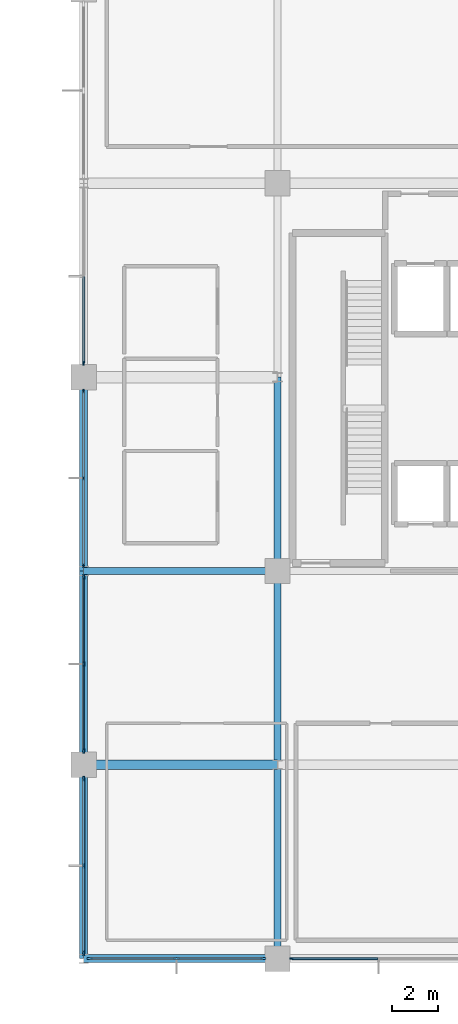
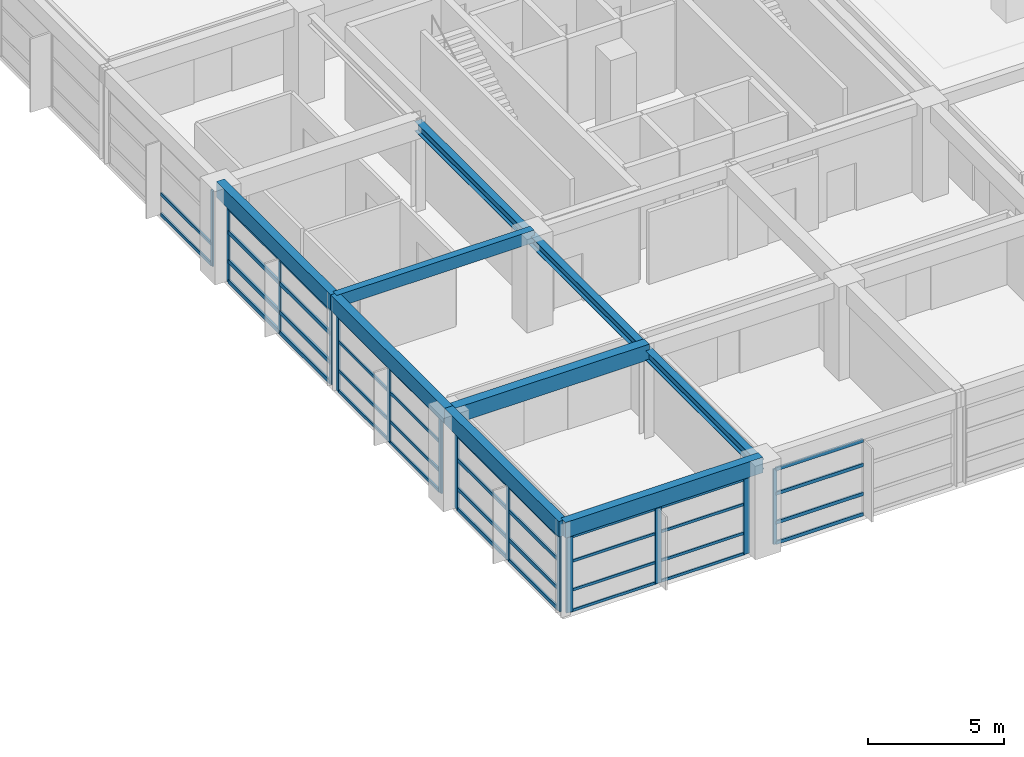
# One storey, part 5 of 18: 52 members, 9 beams, 6 elements without a shape of their own.
"""IFC4 building model written with IfcOpenShell, lengths in metres."""

from ifc_helpers import new_model, si_unit, direction, frame, origin, origin_2d, place, context, subcontext, project, spatial, rectangle, i_section, extrude, material, material_profile, profile_set, type_object, element, aggregate, save


model = new_model("IFC4")

# Units and contexts
model_context = context("Model", 3, precision=1e-05, world=origin(), true_north=direction((0.0, 1.0)))
body_context = subcontext(model_context, "Body", "Model", "MODEL_VIEW")
ifc_project = project(units=[si_unit("LENGTHUNIT", "METRE"), si_unit("AREAUNIT", "SQUARE_METRE"), si_unit("VOLUMEUNIT", "CUBIC_METRE"), si_unit("PLANEANGLEUNIT", "RADIAN"), si_unit("MASSUNIT", "GRAM", prefix="KILO")], contexts=[model_context])

# Site, building, storey
site_placement = place(None, origin())
site = spatial("IfcSite", under=ifc_project, at=site_placement, CompositionType="ELEMENT")
building_placement = place(site_placement, origin())
building = spatial("IfcBuilding", under=site, at=building_placement, Name="Xuanlan Plaza Opera House", CompositionType="ELEMENT")
storey_placement = place(building_placement, frame((0.0, 0.0, 32.10009765625)))
storey = spatial("IfcBuildingStorey", under=building, at=storey_placement, Name="L07", CompositionType="ELEMENT", Elevation=32.10009765625)

# Curtain wall, member
ifc_material_1 = material(Name="Anodised Aluminium 6063-T6 and Low-E Glass", Category="aluminium")
curtain_wall_type_1 = type_object("IfcCurtainWallType", Name="ENV-CW-CW-03", PredefinedType="USERDEFINED", material=ifc_material_1)
curtain_wall_1_placement = place(storey_placement, origin())
curtain_wall_1 = element("IfcCurtainWall", 1, at=curtain_wall_1_placement, inside=storey, type_object=curtain_wall_type_1, Name="Unitised Curtain Wall L07-002", ObjectType="UNITISED CURTAIN WALL", PredefinedType="USERDEFINED")
ifc_material_2 = material(Name="Anodised Aluminium 6063-T6", Category="aluminium")
ifc_material_profile_1 = material_profile(ifc_material_2, rectangle(XDim=0.06494140625, YDim=0.159912109375, at=origin_2d()), Name="ALU-M 65x160")
ifc_profile_set_1 = profile_set([ifc_material_profile_1], Name="Anodised Aluminium 6063-T6")
member_type_1 = type_object("IfcMemberType", Name="ENV-CWM-01", PredefinedType="MULLION", material=ifc_profile_set_1)
member_1_placement = place(storey_placement, frame((135.00244140625, 33.60009765625, 0.0), z_axis=(0.0, 0.0, 1.0), x_axis=(0.0, 1.0, 0.0)))
member_1 = element("IfcMember", 2, at=member_1_placement, type_object=member_type_1, Name="CW-03 mullion 1", PredefinedType="MULLION", context=body_context, shape_type="SweptSolid", body=[
    extrude(rectangle(XDim=0.06494140625, YDim=0.159912109375, at=origin_2d()), origin(), (0.0, 0.0, 1.0), 3.3798828125),
])

curtain_wall_type_2 = type_object("IfcCurtainWallType", Name="ENV-CW-CW-02", PredefinedType="USERDEFINED", material=ifc_material_1)
curtain_wall_2_placement = place(storey_placement, origin())
curtain_wall_2 = element("IfcCurtainWall", 3, at=curtain_wall_2_placement, inside=storey, type_object=curtain_wall_type_2, Name="Unitised Curtain Wall L07-017", ObjectType="UNITISED CURTAIN WALL", PredefinedType="USERDEFINED")
member_2_placement = place(storey_placement, frame((126.0, 59.402587890625, 0.0), z_axis=(0.0, 0.0, 1.0), x_axis=(1.0, 0.0, 0.0)))
member_2 = element("IfcMember", 4, at=member_2_placement, type_object=member_type_1, Name="CW-02 mullion 3", PredefinedType="MULLION", context=body_context, shape_type="SweptSolid", body=[
    extrude(rectangle(XDim=0.06494140625, YDim=0.159912109375, at=origin_2d()), origin(), (0.0, 0.0, 1.0), 3.3798828125),
])

# Curtain wall, members
curtain_wall_3_placement = place(storey_placement, origin())
curtain_wall_3 = element("IfcCurtainWall", 5, at=curtain_wall_3_placement, inside=storey, type_object=curtain_wall_type_1, Name="Unitised Curtain Wall L07-018", ObjectType="UNITISED CURTAIN WALL", PredefinedType="USERDEFINED")
ifc_material_profile_2 = material_profile(ifc_material_2, rectangle(XDim=0.070068359375, YDim=0.179931640625, at=origin_2d()), Name="ALU-M 70x180")
ifc_profile_set_2 = profile_set([ifc_material_profile_2], Name="Anodised Aluminium 6063-T6")
member_type_2 = type_object("IfcMemberType", Name="ENV-CWM-02", PredefinedType="MULLION", material=ifc_profile_set_2)
member_3_placement = place(storey_placement, frame((126.0, 58.195068359375, 0.0), z_axis=(0.0, 0.0, 1.0), x_axis=(1.0, 0.0, 0.0)))
member_3 = element("IfcMember", 6, at=member_3_placement, type_object=member_type_2, Name="CW-03 mullion 1", PredefinedType="MULLION", context=body_context, shape_type="SweptSolid", body=[
    extrude(rectangle(XDim=0.070068359375, YDim=0.179931640625, at=origin_2d()), origin(), (0.0, 0.0, 1.0), 3.3798828125),
])
member_4_placement = place(storey_placement, frame((126.0, 54.425048828125, 0.0), z_axis=(0.0, 0.0, 1.0), x_axis=(1.0, 0.0, 0.0)))
member_4 = element("IfcMember", 7, at=member_4_placement, type_object=member_type_2, Name="CW-03 mullion 2", PredefinedType="MULLION", context=body_context, shape_type="SweptSolid", body=[
    extrude(rectangle(XDim=0.070068359375, YDim=0.179931640625, at=origin_2d()), origin(), (0.0, 0.0, 1.0), 3.3798828125),
])
member_5_placement = place(storey_placement, frame((126.0, 50.655029296875, 0.0), z_axis=(0.0, 0.0, 1.0), x_axis=(1.0, 0.0, 0.0)))
member_5 = element("IfcMember", 8, at=member_5_placement, type_object=member_type_2, Name="CW-03 mullion 3", PredefinedType="MULLION", context=body_context, shape_type="SweptSolid", body=[
    extrude(rectangle(XDim=0.070068359375, YDim=0.179931640625, at=origin_2d()), origin(), (0.0, 0.0, 1.0), 3.3798828125),
])

curtain_wall_type_3 = type_object("IfcCurtainWallType", Name="ENV-CW-CW-04", PredefinedType="USERDEFINED", material=ifc_material_1)
curtain_wall_4_placement = place(storey_placement, origin())
curtain_wall_4 = element("IfcCurtainWall", 9, at=curtain_wall_4_placement, inside=storey, type_object=curtain_wall_type_3, Name="Unitised Curtain Wall L07-019", ObjectType="UNITISED CURTAIN WALL", PredefinedType="USERDEFINED")
ifc_material_profile_3 = material_profile(ifc_material_2, rectangle(XDim=0.074951171875, YDim=0.199951171875, at=origin_2d()), Name="ALU-M 75x200")
ifc_profile_set_3 = profile_set([ifc_material_profile_3], Name="Anodised Aluminium 6063-T6")
member_type_3 = type_object("IfcMemberType", Name="ENV-CWM-03", PredefinedType="MULLION", material=ifc_profile_set_3)
member_6_placement = place(storey_placement, frame((126.0, 50.142578125, 0.0), z_axis=(0.0, 0.0, 1.0), x_axis=(1.0, 0.0, 0.0)))
member_6 = element("IfcMember", 10, at=member_6_placement, type_object=member_type_3, Name="CW-04 mullion 1", PredefinedType="MULLION", context=body_context, shape_type="SweptSolid", body=[
    extrude(rectangle(XDim=0.074951171875, YDim=0.199951171875, at=origin_2d()), origin(), (0.0, 0.0, 1.0), 3.3798828125),
])
member_7_placement = place(storey_placement, frame((126.0, 46.375, 0.0), z_axis=(0.0, 0.0, 1.0), x_axis=(1.0, 0.0, 0.0)))
member_7 = element("IfcMember", 11, at=member_7_placement, type_object=member_type_3, Name="CW-04 mullion 2", PredefinedType="MULLION", context=body_context, shape_type="SweptSolid", body=[
    extrude(rectangle(XDim=0.074951171875, YDim=0.199951171875, at=origin_2d()), origin(), (0.0, 0.0, 1.0), 3.3798828125),
])
member_8_placement = place(storey_placement, frame((126.0, 42.607421875, 0.0), z_axis=(0.0, 0.0, 1.0), x_axis=(1.0, 0.0, 0.0)))
member_8 = element("IfcMember", 12, at=member_8_placement, type_object=member_type_3, Name="CW-04 mullion 3", PredefinedType="MULLION", context=body_context, shape_type="SweptSolid", body=[
    extrude(rectangle(XDim=0.074951171875, YDim=0.199951171875, at=origin_2d()), origin(), (0.0, 0.0, 1.0), 3.3798828125),
])

curtain_wall_type_4 = type_object("IfcCurtainWallType", Name="ENV-CW-CW-01", PredefinedType="USERDEFINED", material=ifc_material_1)
curtain_wall_5_placement = place(storey_placement, origin())
curtain_wall_5 = element("IfcCurtainWall", 13, at=curtain_wall_5_placement, inside=storey, type_object=curtain_wall_type_4, Name="Unitised Curtain Wall L07-020", ObjectType="UNITISED CURTAIN WALL", PredefinedType="USERDEFINED")
ifc_material_profile_4 = material_profile(ifc_material_2, rectangle(XDim=0.080078125, YDim=0.219970703125, at=origin_2d()), Name="ALU-M 80x220")
ifc_profile_set_4 = profile_set([ifc_material_profile_4], Name="Anodised Aluminium 6063-T6")
member_type_4 = type_object("IfcMemberType", Name="ENV-CWM-04", PredefinedType="MULLION", material=ifc_profile_set_4)
member_9_placement = place(storey_placement, frame((126.0, 41.389892578125, 0.0), z_axis=(0.0, 0.0, 1.0), x_axis=(1.0, 0.0, 0.0)))
member_9 = element("IfcMember", 14, at=member_9_placement, type_object=member_type_4, Name="CW-01 mullion 1", PredefinedType="MULLION", context=body_context, shape_type="SweptSolid", body=[
    extrude(rectangle(XDim=0.080078125, YDim=0.219970703125, at=origin_2d()), origin(), (0.0, 0.0, 1.0), 3.3798828125),
])
member_10_placement = place(storey_placement, frame((126.0, 37.625, 0.0), z_axis=(0.0, 0.0, 1.0), x_axis=(1.0, 0.0, 0.0)))
member_10 = element("IfcMember", 15, at=member_10_placement, type_object=member_type_4, Name="CW-01 mullion 2", PredefinedType="MULLION", context=body_context, shape_type="SweptSolid", body=[
    extrude(rectangle(XDim=0.080078125, YDim=0.219970703125, at=origin_2d()), origin(), (0.0, 0.0, 1.0), 3.3798828125),
])
member_11_placement = place(storey_placement, frame((126.0, 33.860107421875, 0.0), z_axis=(0.0, 0.0, 1.0), x_axis=(1.0, 0.0, 0.0)))
member_11 = element("IfcMember", 16, at=member_11_placement, type_object=member_type_4, Name="CW-01 mullion 3", PredefinedType="MULLION", context=body_context, shape_type="SweptSolid", body=[
    extrude(rectangle(XDim=0.080078125, YDim=0.219970703125, at=origin_2d()), origin(), (0.0, 0.0, 1.0), 3.3798828125),
])

curtain_wall_6_placement = place(storey_placement, origin())
curtain_wall_6 = element("IfcCurtainWall", 17, at=curtain_wall_6_placement, inside=storey, type_object=curtain_wall_type_2, Name="Unitised Curtain Wall L07-001", ObjectType="UNITISED CURTAIN WALL", PredefinedType="USERDEFINED")
ifc_material_profile_5 = material_profile(ifc_material_2, rectangle(XDim=0.090087890625, YDim=0.25, at=origin_2d()), Name="ALU-M 90x250")
ifc_profile_set_5 = profile_set([ifc_material_profile_5], Name="Anodised Aluminium 6063-T6")
member_type_5 = type_object("IfcMemberType", Name="ENV-CWM-05", PredefinedType="MULLION", material=ifc_profile_set_5)
member_12_placement = place(storey_placement, frame((126.264892578125, 33.60009765625, 0.0), z_axis=(0.0, 0.0, 1.0), x_axis=(0.0, 1.0, 0.0)))
member_12 = element("IfcMember", 18, at=member_12_placement, type_object=member_type_5, Name="CW-02 mullion 1", PredefinedType="MULLION", context=body_context, shape_type="SweptSolid", body=[
    extrude(rectangle(XDim=0.090087890625, YDim=0.25, at=origin_2d()), origin(), (0.0, 0.0, 1.0), 3.3798828125),
])
member_13_placement = place(storey_placement, frame((130.02490234375, 33.60009765625, 0.0), z_axis=(0.0, 0.0, 1.0), x_axis=(0.0, 1.0, 0.0)))
member_13 = element("IfcMember", 19, at=member_13_placement, type_object=member_type_5, Name="CW-02 mullion 2", PredefinedType="MULLION", context=body_context, shape_type="SweptSolid", body=[
    extrude(rectangle(XDim=0.090087890625, YDim=0.25, at=origin_2d()), origin(), (0.0, 0.0, 1.0), 3.3798828125),
])
member_14_placement = place(storey_placement, frame((133.784912109375, 33.60009765625, 0.0), z_axis=(0.0, 0.0, 1.0), x_axis=(0.0, 1.0, 0.0)))
member_14 = element("IfcMember", 20, at=member_14_placement, type_object=member_type_5, Name="CW-02 mullion 3", PredefinedType="MULLION", context=body_context, shape_type="SweptSolid", body=[
    extrude(rectangle(XDim=0.090087890625, YDim=0.25, at=origin_2d()), origin(), (0.0, 0.0, 1.0), 3.3798828125),
])
ifc_material_profile_6 = material_profile(ifc_material_2, rectangle(XDim=0.06494140625, YDim=0.1201171875, at=origin_2d()), Name="ALU-T 65x120")
ifc_profile_set_6 = profile_set([ifc_material_profile_6], Name="Anodised Aluminium 6063-T6")
member_type_6 = type_object("IfcMemberType", Name="ENV-CWT-01", PredefinedType="USERDEFINED", material=ifc_profile_set_6)
member_15_placement = place(storey_placement, frame((126.31005859375, 33.60009765625, 0.032470703125), z_axis=(1.0, 0.0, 0.0), x_axis=(0.0, 1.0, 0.0)))
member_15 = element("IfcMember", 21, at=member_15_placement, type_object=member_type_6, Name="CW-02 transom 1.1", ObjectType="TRANSOM", PredefinedType="USERDEFINED", context=body_context, shape_type="SweptSolid", body=[
    extrude(rectangle(XDim=0.06494140625, YDim=0.1201171875, at=origin_2d()), origin(), (0.0, 0.0, 1.0), 3.669921875),
])
member_16_placement = place(storey_placement, frame((126.31005859375, 33.60009765625, 0.949951171875), z_axis=(1.0, 0.0, 0.0), x_axis=(0.0, 1.0, 0.0)))
member_16 = element("IfcMember", 22, at=member_16_placement, type_object=member_type_6, Name="CW-02 transom 1.2", ObjectType="TRANSOM", PredefinedType="USERDEFINED", context=body_context, shape_type="SweptSolid", body=[
    extrude(rectangle(XDim=0.06494140625, YDim=0.1201171875, at=origin_2d()), origin(), (0.0, 0.0, 1.0), 3.669921875),
])
member_17_placement = place(storey_placement, frame((126.31005859375, 33.60009765625, 2.25), z_axis=(1.0, 0.0, 0.0), x_axis=(0.0, 1.0, 0.0)))
member_17 = element("IfcMember", 23, at=member_17_placement, type_object=member_type_6, Name="CW-02 transom 1.3", ObjectType="TRANSOM", PredefinedType="USERDEFINED", context=body_context, shape_type="SweptSolid", body=[
    extrude(rectangle(XDim=0.06494140625, YDim=0.1201171875, at=origin_2d()), origin(), (0.0, 0.0, 1.0), 3.669921875),
])
member_18_placement = place(storey_placement, frame((126.31005859375, 33.60009765625, 3.347412109375), z_axis=(1.0, 0.0, 0.0), x_axis=(0.0, 1.0, 0.0)))
member_18 = element("IfcMember", 24, at=member_18_placement, type_object=member_type_6, Name="CW-02 transom 1.4", ObjectType="TRANSOM", PredefinedType="USERDEFINED", context=body_context, shape_type="SweptSolid", body=[
    extrude(rectangle(XDim=0.06494140625, YDim=0.1201171875, at=origin_2d()), origin(), (0.0, 0.0, 1.0), 3.669921875),
])
member_19_placement = place(storey_placement, frame((130.070068359375, 33.60009765625, 0.032470703125), z_axis=(1.0, 0.0, 0.0), x_axis=(0.0, 1.0, 0.0)))
member_19 = element("IfcMember", 25, at=member_19_placement, type_object=member_type_6, Name="CW-02 transom 2.1", ObjectType="TRANSOM", PredefinedType="USERDEFINED", context=body_context, shape_type="SweptSolid", body=[
    extrude(rectangle(XDim=0.06494140625, YDim=0.1201171875, at=origin_2d()), origin(), (0.0, 0.0, 1.0), 3.669921875),
])
member_20_placement = place(storey_placement, frame((130.070068359375, 33.60009765625, 0.949951171875), z_axis=(1.0, 0.0, 0.0), x_axis=(0.0, 1.0, 0.0)))
member_20 = element("IfcMember", 26, at=member_20_placement, type_object=member_type_6, Name="CW-02 transom 2.2", ObjectType="TRANSOM", PredefinedType="USERDEFINED", context=body_context, shape_type="SweptSolid", body=[
    extrude(rectangle(XDim=0.06494140625, YDim=0.1201171875, at=origin_2d()), origin(), (0.0, 0.0, 1.0), 3.669921875),
])
member_21_placement = place(storey_placement, frame((130.070068359375, 33.60009765625, 2.25), z_axis=(1.0, 0.0, 0.0), x_axis=(0.0, 1.0, 0.0)))
member_21 = element("IfcMember", 27, at=member_21_placement, type_object=member_type_6, Name="CW-02 transom 2.3", ObjectType="TRANSOM", PredefinedType="USERDEFINED", context=body_context, shape_type="SweptSolid", body=[
    extrude(rectangle(XDim=0.06494140625, YDim=0.1201171875, at=origin_2d()), origin(), (0.0, 0.0, 1.0), 3.669921875),
])
member_22_placement = place(storey_placement, frame((130.070068359375, 33.60009765625, 3.347412109375), z_axis=(1.0, 0.0, 0.0), x_axis=(0.0, 1.0, 0.0)))
member_22 = element("IfcMember", 28, at=member_22_placement, type_object=member_type_6, Name="CW-02 transom 2.4", ObjectType="TRANSOM", PredefinedType="USERDEFINED", context=body_context, shape_type="SweptSolid", body=[
    extrude(rectangle(XDim=0.06494140625, YDim=0.1201171875, at=origin_2d()), origin(), (0.0, 0.0, 1.0), 3.669921875),
])
aggregate(curtain_wall_6, [member_12, member_13, member_14, member_15, member_16, member_17, member_18, member_19, member_20, member_21, member_22])

# Member
ifc_material_profile_7 = material_profile(ifc_material_2, rectangle(XDim=0.070068359375, YDim=0.135009765625, at=origin_2d()), Name="ALU-T 70x135")
ifc_profile_set_7 = profile_set([ifc_material_profile_7], Name="Anodised Aluminium 6063-T6")
member_type_7 = type_object("IfcMemberType", Name="ENV-CWT-02", PredefinedType="USERDEFINED", material=ifc_profile_set_7)
member_23_placement = place(storey_placement, frame((126.0, 50.10498046875, 0.034912109375), z_axis=(0.0, -1.0, 0.0), x_axis=(1.0, 0.0, 0.0)))
member_23 = element("IfcMember", 29, at=member_23_placement, type_object=member_type_7, Name="CW-04 transom 1.1", ObjectType="TRANSOM", PredefinedType="USERDEFINED", context=body_context, shape_type="SweptSolid", body=[
    extrude(rectangle(XDim=0.070068359375, YDim=0.135009765625, at=origin_2d()), origin(), (0.0, 0.0, 1.0), 3.6923828125),
])

member_24_placement = place(storey_placement, frame((126.0, 50.10498046875, 0.949951171875), z_axis=(0.0, -1.0, 0.0), x_axis=(1.0, 0.0, 0.0)))
member_24 = element("IfcMember", 30, at=member_24_placement, type_object=member_type_7, Name="CW-04 transom 1.2", ObjectType="TRANSOM", PredefinedType="USERDEFINED", context=body_context, shape_type="SweptSolid", body=[
    extrude(rectangle(XDim=0.070068359375, YDim=0.135009765625, at=origin_2d()), origin(), (0.0, 0.0, 1.0), 3.6923828125),
])

member_25_placement = place(storey_placement, frame((126.0, 50.10498046875, 2.25), z_axis=(0.0, -1.0, 0.0), x_axis=(1.0, 0.0, 0.0)))
member_25 = element("IfcMember", 31, at=member_25_placement, type_object=member_type_7, Name="CW-04 transom 1.3", ObjectType="TRANSOM", PredefinedType="USERDEFINED", context=body_context, shape_type="SweptSolid", body=[
    extrude(rectangle(XDim=0.070068359375, YDim=0.135009765625, at=origin_2d()), origin(), (0.0, 0.0, 1.0), 3.6923828125),
])

member_26_placement = place(storey_placement, frame((126.0, 50.10498046875, 3.344970703125), z_axis=(0.0, -1.0, 0.0), x_axis=(1.0, 0.0, 0.0)))
member_26 = element("IfcMember", 32, at=member_26_placement, type_object=member_type_7, Name="CW-04 transom 1.4", ObjectType="TRANSOM", PredefinedType="USERDEFINED", context=body_context, shape_type="SweptSolid", body=[
    extrude(rectangle(XDim=0.070068359375, YDim=0.135009765625, at=origin_2d()), origin(), (0.0, 0.0, 1.0), 3.6923828125),
])

member_27_placement = place(storey_placement, frame((126.0, 46.33740234375, 0.034912109375), z_axis=(0.0, -1.0, 0.0), x_axis=(1.0, 0.0, 0.0)))
member_27 = element("IfcMember", 33, at=member_27_placement, type_object=member_type_7, Name="CW-04 transom 2.1", ObjectType="TRANSOM", PredefinedType="USERDEFINED", context=body_context, shape_type="SweptSolid", body=[
    extrude(rectangle(XDim=0.070068359375, YDim=0.135009765625, at=origin_2d()), origin(), (0.0, 0.0, 1.0), 3.6923828125),
])

member_28_placement = place(storey_placement, frame((126.0, 46.33740234375, 0.949951171875), z_axis=(0.0, -1.0, 0.0), x_axis=(1.0, 0.0, 0.0)))
member_28 = element("IfcMember", 34, at=member_28_placement, type_object=member_type_7, Name="CW-04 transom 2.2", ObjectType="TRANSOM", PredefinedType="USERDEFINED", context=body_context, shape_type="SweptSolid", body=[
    extrude(rectangle(XDim=0.070068359375, YDim=0.135009765625, at=origin_2d()), origin(), (0.0, 0.0, 1.0), 3.6923828125),
])

member_29_placement = place(storey_placement, frame((126.0, 46.33740234375, 2.25), z_axis=(0.0, -1.0, 0.0), x_axis=(1.0, 0.0, 0.0)))
member_29 = element("IfcMember", 35, at=member_29_placement, type_object=member_type_7, Name="CW-04 transom 2.3", ObjectType="TRANSOM", PredefinedType="USERDEFINED", context=body_context, shape_type="SweptSolid", body=[
    extrude(rectangle(XDim=0.070068359375, YDim=0.135009765625, at=origin_2d()), origin(), (0.0, 0.0, 1.0), 3.6923828125),
])

member_30_placement = place(storey_placement, frame((126.0, 46.33740234375, 3.344970703125), z_axis=(0.0, -1.0, 0.0), x_axis=(1.0, 0.0, 0.0)))
member_30 = element("IfcMember", 36, at=member_30_placement, type_object=member_type_7, Name="CW-04 transom 2.4", ObjectType="TRANSOM", PredefinedType="USERDEFINED", context=body_context, shape_type="SweptSolid", body=[
    extrude(rectangle(XDim=0.070068359375, YDim=0.135009765625, at=origin_2d()), origin(), (0.0, 0.0, 1.0), 3.6923828125),
])

aggregate(curtain_wall_4, [member_6, member_7, member_8, member_23, member_24, member_25, member_26, member_27, member_28, member_29, member_30])

ifc_material_profile_8 = material_profile(ifc_material_2, rectangle(XDim=0.074951171875, YDim=0.14990234375, at=origin_2d()), Name="ALU-T 75x150")
ifc_profile_set_8 = profile_set([ifc_material_profile_8], Name="Anodised Aluminium 6063-T6")
member_type_8 = type_object("IfcMemberType", Name="ENV-CWT-03", PredefinedType="USERDEFINED", material=ifc_profile_set_8)
member_31_placement = place(storey_placement, frame((135.034912109375, 33.60009765625, 0.037353515625), z_axis=(1.0, 0.0, 0.0), x_axis=(0.0, 1.0, 0.0)))
member_31 = element("IfcMember", 37, at=member_31_placement, type_object=member_type_8, Name="CW-03 transom 1.1", ObjectType="TRANSOM", PredefinedType="USERDEFINED", context=body_context, shape_type="SweptSolid", body=[
    extrude(rectangle(XDim=0.074951171875, YDim=0.14990234375, at=origin_2d()), origin(), (0.0, 0.0, 1.0), 3.70751953125),
])

member_32_placement = place(storey_placement, frame((135.034912109375, 33.60009765625, 0.949951171875), z_axis=(1.0, 0.0, 0.0), x_axis=(0.0, 1.0, 0.0)))
member_32 = element("IfcMember", 38, at=member_32_placement, type_object=member_type_8, Name="CW-03 transom 1.2", ObjectType="TRANSOM", PredefinedType="USERDEFINED", context=body_context, shape_type="SweptSolid", body=[
    extrude(rectangle(XDim=0.074951171875, YDim=0.14990234375, at=origin_2d()), origin(), (0.0, 0.0, 1.0), 3.70751953125),
])

member_33_placement = place(storey_placement, frame((135.034912109375, 33.60009765625, 2.25), z_axis=(1.0, 0.0, 0.0), x_axis=(0.0, 1.0, 0.0)))
member_33 = element("IfcMember", 39, at=member_33_placement, type_object=member_type_8, Name="CW-03 transom 1.3", ObjectType="TRANSOM", PredefinedType="USERDEFINED", context=body_context, shape_type="SweptSolid", body=[
    extrude(rectangle(XDim=0.074951171875, YDim=0.14990234375, at=origin_2d()), origin(), (0.0, 0.0, 1.0), 3.70751953125),
])

member_34_placement = place(storey_placement, frame((135.034912109375, 33.60009765625, 3.34228515625), z_axis=(1.0, 0.0, 0.0), x_axis=(0.0, 1.0, 0.0)))
member_34 = element("IfcMember", 40, at=member_34_placement, type_object=member_type_8, Name="CW-03 transom 1.4", ObjectType="TRANSOM", PredefinedType="USERDEFINED", context=body_context, shape_type="SweptSolid", body=[
    extrude(rectangle(XDim=0.074951171875, YDim=0.14990234375, at=origin_2d()), origin(), (0.0, 0.0, 1.0), 3.70751953125),
])

aggregate(curtain_wall_1, [member_1, member_31, member_32, member_33, member_34])

member_35_placement = place(storey_placement, frame((126.0, 63.142578125, 0.037353515625), z_axis=(0.0, -1.0, 0.0), x_axis=(1.0, 0.0, 0.0)))
member_35 = element("IfcMember", 41, at=member_35_placement, type_object=member_type_8, Name="CW-02 transom 2.1", ObjectType="TRANSOM", PredefinedType="USERDEFINED", context=body_context, shape_type="SweptSolid", body=[
    extrude(rectangle(XDim=0.074951171875, YDim=0.14990234375, at=origin_2d()), origin(), (0.0, 0.0, 1.0), 3.70751953125),
])

member_36_placement = place(storey_placement, frame((126.0, 63.142578125, 0.949951171875), z_axis=(0.0, -1.0, 0.0), x_axis=(1.0, 0.0, 0.0)))
member_36 = element("IfcMember", 42, at=member_36_placement, type_object=member_type_8, Name="CW-02 transom 2.2", ObjectType="TRANSOM", PredefinedType="USERDEFINED", context=body_context, shape_type="SweptSolid", body=[
    extrude(rectangle(XDim=0.074951171875, YDim=0.14990234375, at=origin_2d()), origin(), (0.0, 0.0, 1.0), 3.70751953125),
])

aggregate(curtain_wall_2, [member_2, member_35, member_36])

ifc_material_profile_9 = material_profile(ifc_material_2, rectangle(XDim=0.080078125, YDim=0.1650390625, at=origin_2d()), Name="ALU-T 80x165")
ifc_profile_set_9 = profile_set([ifc_material_profile_9], Name="Anodised Aluminium 6063-T6")
member_type_9 = type_object("IfcMemberType", Name="ENV-CWT-04", PredefinedType="USERDEFINED", material=ifc_profile_set_9)
member_37_placement = place(storey_placement, frame((126.0, 41.35009765625, 0.039794921875), z_axis=(0.0, -1.0, 0.0), x_axis=(1.0, 0.0, 0.0)))
member_37 = element("IfcMember", 43, at=member_37_placement, type_object=member_type_9, Name="CW-01 transom 1.1", ObjectType="TRANSOM", PredefinedType="USERDEFINED", context=body_context, shape_type="SweptSolid", body=[
    extrude(rectangle(XDim=0.080078125, YDim=0.1650390625, at=origin_2d()), origin(), (0.0, 0.0, 1.0), 3.68505859375),
])

member_38_placement = place(storey_placement, frame((126.0, 41.35009765625, 0.949951171875), z_axis=(0.0, -1.0, 0.0), x_axis=(1.0, 0.0, 0.0)))
member_38 = element("IfcMember", 44, at=member_38_placement, type_object=member_type_9, Name="CW-01 transom 1.2", ObjectType="TRANSOM", PredefinedType="USERDEFINED", context=body_context, shape_type="SweptSolid", body=[
    extrude(rectangle(XDim=0.080078125, YDim=0.1650390625, at=origin_2d()), origin(), (0.0, 0.0, 1.0), 3.68505859375),
])

member_39_placement = place(storey_placement, frame((126.0, 41.35009765625, 2.25), z_axis=(0.0, -1.0, 0.0), x_axis=(1.0, 0.0, 0.0)))
member_39 = element("IfcMember", 45, at=member_39_placement, type_object=member_type_9, Name="CW-01 transom 1.3", ObjectType="TRANSOM", PredefinedType="USERDEFINED", context=body_context, shape_type="SweptSolid", body=[
    extrude(rectangle(XDim=0.080078125, YDim=0.1650390625, at=origin_2d()), origin(), (0.0, 0.0, 1.0), 3.68505859375),
])

member_40_placement = place(storey_placement, frame((126.0, 41.35009765625, 3.33984375), z_axis=(0.0, -1.0, 0.0), x_axis=(1.0, 0.0, 0.0)))
member_40 = element("IfcMember", 46, at=member_40_placement, type_object=member_type_9, Name="CW-01 transom 1.4", ObjectType="TRANSOM", PredefinedType="USERDEFINED", context=body_context, shape_type="SweptSolid", body=[
    extrude(rectangle(XDim=0.080078125, YDim=0.1650390625, at=origin_2d()), origin(), (0.0, 0.0, 1.0), 3.68505859375),
])

member_41_placement = place(storey_placement, frame((126.0, 37.5849609375, 0.039794921875), z_axis=(0.0, -1.0, 0.0), x_axis=(1.0, 0.0, 0.0)))
member_41 = element("IfcMember", 47, at=member_41_placement, type_object=member_type_9, Name="CW-01 transom 2.1", ObjectType="TRANSOM", PredefinedType="USERDEFINED", context=body_context, shape_type="SweptSolid", body=[
    extrude(rectangle(XDim=0.080078125, YDim=0.1650390625, at=origin_2d()), origin(), (0.0, 0.0, 1.0), 3.68505859375),
])

member_42_placement = place(storey_placement, frame((126.0, 37.5849609375, 0.949951171875), z_axis=(0.0, -1.0, 0.0), x_axis=(1.0, 0.0, 0.0)))
member_42 = element("IfcMember", 48, at=member_42_placement, type_object=member_type_9, Name="CW-01 transom 2.2", ObjectType="TRANSOM", PredefinedType="USERDEFINED", context=body_context, shape_type="SweptSolid", body=[
    extrude(rectangle(XDim=0.080078125, YDim=0.1650390625, at=origin_2d()), origin(), (0.0, 0.0, 1.0), 3.68505859375),
])

member_43_placement = place(storey_placement, frame((126.0, 37.5849609375, 2.25), z_axis=(0.0, -1.0, 0.0), x_axis=(1.0, 0.0, 0.0)))
member_43 = element("IfcMember", 49, at=member_43_placement, type_object=member_type_9, Name="CW-01 transom 2.3", ObjectType="TRANSOM", PredefinedType="USERDEFINED", context=body_context, shape_type="SweptSolid", body=[
    extrude(rectangle(XDim=0.080078125, YDim=0.1650390625, at=origin_2d()), origin(), (0.0, 0.0, 1.0), 3.68505859375),
])

member_44_placement = place(storey_placement, frame((126.0, 37.5849609375, 3.33984375), z_axis=(0.0, -1.0, 0.0), x_axis=(1.0, 0.0, 0.0)))
member_44 = element("IfcMember", 50, at=member_44_placement, type_object=member_type_9, Name="CW-01 transom 2.4", ObjectType="TRANSOM", PredefinedType="USERDEFINED", context=body_context, shape_type="SweptSolid", body=[
    extrude(rectangle(XDim=0.080078125, YDim=0.1650390625, at=origin_2d()), origin(), (0.0, 0.0, 1.0), 3.68505859375),
])

aggregate(curtain_wall_5, [member_9, member_10, member_11, member_37, member_38, member_39, member_40, member_41, member_42, member_43, member_44])

ifc_material_profile_10 = material_profile(ifc_material_2, rectangle(XDim=0.090087890625, YDim=0.179931640625, at=origin_2d()), Name="ALU-T 90x180")
ifc_profile_set_10 = profile_set([ifc_material_profile_10], Name="Anodised Aluminium 6063-T6")
member_type_10 = type_object("IfcMemberType", Name="ENV-CWT-05", PredefinedType="USERDEFINED", material=ifc_profile_set_10)
member_45_placement = place(storey_placement, frame((126.0, 58.159912109375, 0.044921875), z_axis=(0.0, -1.0, 0.0), x_axis=(1.0, 0.0, 0.0)))
member_45 = element("IfcMember", 51, at=member_45_placement, type_object=member_type_10, Name="CW-03 transom 1.1", ObjectType="TRANSOM", PredefinedType="USERDEFINED", context=body_context, shape_type="SweptSolid", body=[
    extrude(rectangle(XDim=0.090087890625, YDim=0.179931640625, at=origin_2d()), origin(), (0.0, 0.0, 1.0), 3.699951171875),
])

member_46_placement = place(storey_placement, frame((126.0, 58.159912109375, 0.949951171875), z_axis=(0.0, -1.0, 0.0), x_axis=(1.0, 0.0, 0.0)))
member_46 = element("IfcMember", 52, at=member_46_placement, type_object=member_type_10, Name="CW-03 transom 1.2", ObjectType="TRANSOM", PredefinedType="USERDEFINED", context=body_context, shape_type="SweptSolid", body=[
    extrude(rectangle(XDim=0.090087890625, YDim=0.179931640625, at=origin_2d()), origin(), (0.0, 0.0, 1.0), 3.699951171875),
])

member_47_placement = place(storey_placement, frame((126.0, 58.159912109375, 2.25), z_axis=(0.0, -1.0, 0.0), x_axis=(1.0, 0.0, 0.0)))
member_47 = element("IfcMember", 53, at=member_47_placement, type_object=member_type_10, Name="CW-03 transom 1.3", ObjectType="TRANSOM", PredefinedType="USERDEFINED", context=body_context, shape_type="SweptSolid", body=[
    extrude(rectangle(XDim=0.090087890625, YDim=0.179931640625, at=origin_2d()), origin(), (0.0, 0.0, 1.0), 3.699951171875),
])

member_48_placement = place(storey_placement, frame((126.0, 58.159912109375, 3.3349609375), z_axis=(0.0, -1.0, 0.0), x_axis=(1.0, 0.0, 0.0)))
member_48 = element("IfcMember", 54, at=member_48_placement, type_object=member_type_10, Name="CW-03 transom 1.4", ObjectType="TRANSOM", PredefinedType="USERDEFINED", context=body_context, shape_type="SweptSolid", body=[
    extrude(rectangle(XDim=0.090087890625, YDim=0.179931640625, at=origin_2d()), origin(), (0.0, 0.0, 1.0), 3.699951171875),
])

member_49_placement = place(storey_placement, frame((126.0, 54.389892578125, 0.044921875), z_axis=(0.0, -1.0, 0.0), x_axis=(1.0, 0.0, 0.0)))
member_49 = element("IfcMember", 55, at=member_49_placement, type_object=member_type_10, Name="CW-03 transom 2.1", ObjectType="TRANSOM", PredefinedType="USERDEFINED", context=body_context, shape_type="SweptSolid", body=[
    extrude(rectangle(XDim=0.090087890625, YDim=0.179931640625, at=origin_2d()), origin(), (0.0, 0.0, 1.0), 3.699951171875),
])

member_50_placement = place(storey_placement, frame((126.0, 54.389892578125, 0.949951171875), z_axis=(0.0, -1.0, 0.0), x_axis=(1.0, 0.0, 0.0)))
member_50 = element("IfcMember", 56, at=member_50_placement, type_object=member_type_10, Name="CW-03 transom 2.2", ObjectType="TRANSOM", PredefinedType="USERDEFINED", context=body_context, shape_type="SweptSolid", body=[
    extrude(rectangle(XDim=0.090087890625, YDim=0.179931640625, at=origin_2d()), origin(), (0.0, 0.0, 1.0), 3.699951171875),
])

member_51_placement = place(storey_placement, frame((126.0, 54.389892578125, 2.25), z_axis=(0.0, -1.0, 0.0), x_axis=(1.0, 0.0, 0.0)))
member_51 = element("IfcMember", 57, at=member_51_placement, type_object=member_type_10, Name="CW-03 transom 2.3", ObjectType="TRANSOM", PredefinedType="USERDEFINED", context=body_context, shape_type="SweptSolid", body=[
    extrude(rectangle(XDim=0.090087890625, YDim=0.179931640625, at=origin_2d()), origin(), (0.0, 0.0, 1.0), 3.699951171875),
])

member_52_placement = place(storey_placement, frame((126.0, 54.389892578125, 3.3349609375), z_axis=(0.0, -1.0, 0.0), x_axis=(1.0, 0.0, 0.0)))
member_52 = element("IfcMember", 58, at=member_52_placement, type_object=member_type_10, Name="CW-03 transom 2.4", ObjectType="TRANSOM", PredefinedType="USERDEFINED", context=body_context, shape_type="SweptSolid", body=[
    extrude(rectangle(XDim=0.090087890625, YDim=0.179931640625, at=origin_2d()), origin(), (0.0, 0.0, 1.0), 3.699951171875),
])

aggregate(curtain_wall_3, [member_3, member_4, member_5, member_45, member_46, member_47, member_48, member_49, member_50, member_51, member_52])

# Beams
ifc_material_3 = material(Name="Concrete C40", Category="concrete")
ifc_material_profile_11 = material_profile(ifc_material_3, rectangle(XDim=0.39990234375, YDim=0.699951171875, at=origin_2d()), Name="RC-BM 400x700")
ifc_profile_set_11 = profile_set([ifc_material_profile_11], Name="Concrete C40")
beam_type_1 = type_object("IfcBeamType", Name="STR-BM-B-07", PredefinedType="BEAM", material=ifc_profile_set_11)
beam_1_placement = place(storey_placement, frame((126.0, 42.0, 3.849853515625), z_axis=(1.0, 0.0, 0.0), x_axis=(0.0, 1.0, 0.0)))
element("IfcBeam", 59, at=beam_1_placement, inside=storey, type_object=beam_type_1, Name="Grid Beam X L07 16-17/F", PredefinedType="BEAM", context=body_context, shape_type="SweptSolid", body=[
    extrude(rectangle(XDim=0.39990234375, YDim=0.699951171875, at=origin_2d()), origin(), (0.0, 0.0, 1.0), 8.39990234375),
])
ifc_material_profile_12 = material_profile(ifc_material_3, rectangle(XDim=0.300048828125, YDim=0.550048828125, at=origin_2d()), Name="RC-BM 300x550")
ifc_profile_set_12 = profile_set([ifc_material_profile_12], Name="Concrete C40")
beam_type_2 = type_object("IfcBeamType", Name="STR-BM-B-09", PredefinedType="BEAM", material=ifc_profile_set_12)
beam_2_placement = place(storey_placement, frame((126.0, 50.39990234375, 3.9248046875), z_axis=(1.0, 0.0, 0.0), x_axis=(0.0, 1.0, 0.0)))
element("IfcBeam", 60, at=beam_2_placement, inside=storey, type_object=beam_type_2, Name="Grid Beam X L07 16-17/G", PredefinedType="BEAM", context=body_context, shape_type="SweptSolid", body=[
    extrude(rectangle(XDim=0.300048828125, YDim=0.550048828125, at=origin_2d()), origin(), (0.0, 0.0, 1.0), 8.39990234375),
])
ifc_material_4 = material(Name="Steel Q355B", Category="steel")
ifc_material_profile_13 = material_profile(ifc_material_4, i_section(OverallWidth=0.300048828125, OverallDepth=0.43994140625, WebThickness=0.010986328125, FlangeThickness=0.01806640625, FilletRadius=0.02001953125, at=origin_2d()), Name="HM 440x300x11x18")
ifc_profile_set_13 = profile_set([ifc_material_profile_13], Name="Steel Q355B")
beam_type_3 = type_object("IfcBeamType", Name="STR-BM-SB-08", PredefinedType="BEAM", material=ifc_profile_set_13)
for number, where, z_axis, x_axis, name in (
    (61, (134.39990234375, 33.60009765625, 3.73486328125), (0.0, 1.0, 0.0), (-1.0, 0.0, 0.0), "Grid Beam Y L07 17/E-F"),
    (62, (134.39990234375, 42.0, 3.73486328125), (0.0, 1.0, 0.0), (-1.0, 0.0, 0.0), "Grid Beam Y L07 17/F-G"),
):
    element("IfcBeam", number, at=place(storey_placement, frame(where, z_axis=z_axis, x_axis=x_axis)), inside=storey, type_object=beam_type_3, Name=name, PredefinedType="BEAM", context=body_context, shape_type="SweptSolid", body=[
        extrude(i_section(OverallWidth=0.300048828125, OverallDepth=0.43994140625, WebThickness=0.010986328125, FlangeThickness=0.01806640625, FilletRadius=0.02001953125, at=origin_2d()), origin(), (0.0, 0.0, 1.0), 8.39990234375),
    ])
beam_3_placement = place(storey_placement, frame((134.39990234375, 50.39990234375, 3.73486328125), z_axis=(0.0, 1.0, 0.0), x_axis=(-1.0, 0.0, 0.0)))
element("IfcBeam", 63, at=beam_3_placement, inside=storey, type_object=beam_type_3, Name="Grid Beam Y L07 17/G-H", PredefinedType="BEAM", context=body_context, shape_type="SweptSolid", body=[
    extrude(i_section(OverallWidth=0.300048828125, OverallDepth=0.43994140625, WebThickness=0.010986328125, FlangeThickness=0.01806640625, FilletRadius=0.02001953125, at=origin_2d()), origin(), (0.0, 0.0, 1.0), 8.400146484375),
])
ifc_material_profile_14 = material_profile(ifc_material_3, rectangle(XDim=0.35009765625, YDim=0.699951171875, at=origin_2d()), Name="RC-SPD 350x700")
ifc_profile_set_14 = profile_set([ifc_material_profile_14], Name="Concrete C40")
beam_type_4 = type_object("IfcBeamType", Name="STR-BM-SP-02", PredefinedType="SPANDREL", material=ifc_profile_set_14)
for number, where, z_axis, x_axis, name in (
    (64, (126.0, 33.60009765625, 3.849853515625), (1.0, 0.0, 0.0), (0.0, 1.0, 0.0), "Grid Beam X L07 16-17/E"),
    (65, (126.0, 33.60009765625, 3.849853515625), (0.0, 1.0, 0.0), (-1.0, 0.0, 0.0), "Grid Beam Y L07 16/E-F"),
    (66, (126.0, 42.0, 3.849853515625), (0.0, 1.0, 0.0), (-1.0, 0.0, 0.0), "Grid Beam Y L07 16/F-G"),
):
    element("IfcBeam", number, at=place(storey_placement, frame(where, z_axis=z_axis, x_axis=x_axis)), inside=storey, type_object=beam_type_4, Name=name, PredefinedType="SPANDREL", context=body_context, shape_type="SweptSolid", body=[
        extrude(rectangle(XDim=0.35009765625, YDim=0.699951171875, at=origin_2d()), origin(), (0.0, 0.0, 1.0), 8.39990234375),
    ])
beam_4_placement = place(storey_placement, frame((126.0, 50.39990234375, 3.849853515625), z_axis=(0.0, 1.0, 0.0), x_axis=(-1.0, 0.0, 0.0)))
element("IfcBeam", 67, at=beam_4_placement, inside=storey, type_object=beam_type_4, Name="Grid Beam Y L07 16/G-H", PredefinedType="SPANDREL", context=body_context, shape_type="SweptSolid", body=[
    extrude(rectangle(XDim=0.35009765625, YDim=0.699951171875, at=origin_2d()), origin(), (0.0, 0.0, 1.0), 8.400146484375),
])

save(model, "model.ifc")
